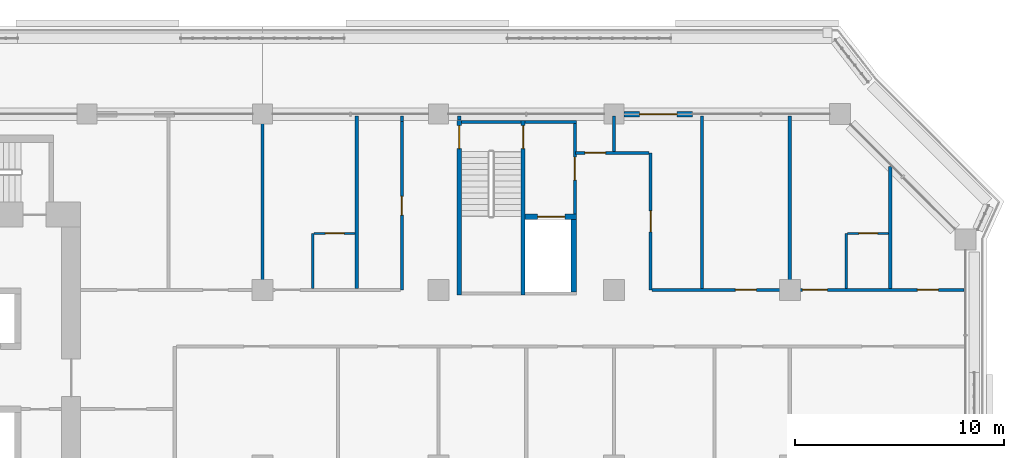
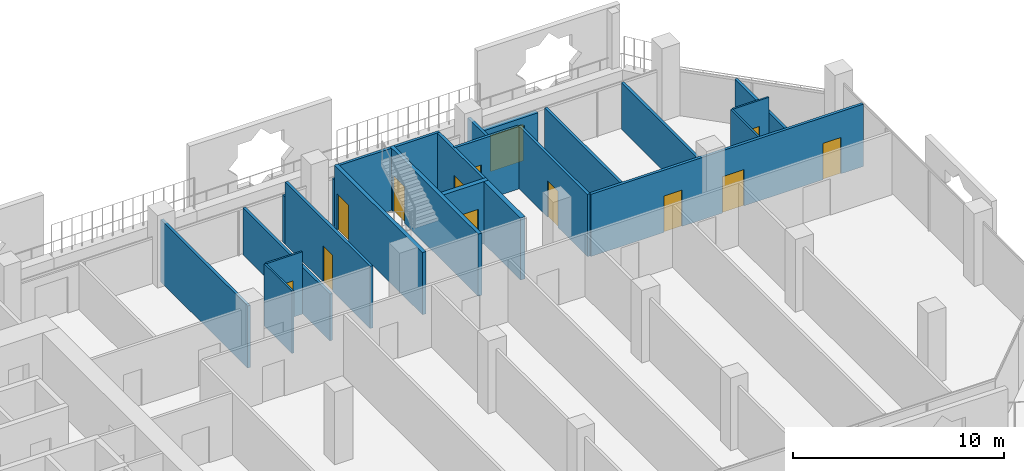
# One storey, part 13 of 22: 24 walls, 13 doors, 13 openings.
"""IFC4 building model written with IfcOpenShell, lengths in metres."""

from ifc_helpers import new_model, si_unit, direction, frame, frame_2d, origin, place, context, subcontext, project, spatial, rectangle, extrude, material, layer, layer_set, type_object, element, fill, save


model = new_model("IFC4")

# Units and contexts
model_context = context("Model", 3, precision=1e-05, world=origin(), true_north=direction((0.0, 1.0)))
body_context = subcontext(model_context, "Body", "Model", "MODEL_VIEW")
ifc_project = project(units=[si_unit("LENGTHUNIT", "METRE"), si_unit("AREAUNIT", "SQUARE_METRE"), si_unit("VOLUMEUNIT", "CUBIC_METRE"), si_unit("PLANEANGLEUNIT", "RADIAN"), si_unit("MASSUNIT", "GRAM", prefix="KILO")], contexts=[model_context])

# Site, building, storey
site_placement = place(None, origin())
site = spatial("IfcSite", under=ifc_project, at=site_placement, CompositionType="ELEMENT")
building_placement = place(site_placement, origin())
building = spatial("IfcBuilding", under=site, at=building_placement, Name="Kawkab Arch Medical Tower", CompositionType="ELEMENT")
storey_placement = place(building_placement, frame((0.0, 0.0, 179.39990234375)))
storey = spatial("IfcBuildingStorey", under=building, at=storey_placement, Name="L41", CompositionType="ELEMENT", Elevation=179.39990234375)

# Wall, opening, door
ifc_material_1 = material(Name="Gypsum board on steel studs", Category="steel")
ifc_layer_1 = layer(ifc_material_1, 0.14990234375)
ifc_layer_set_1 = layer_set([ifc_layer_1], Name="Gypsum board on steel studs")
wall_type_1 = type_object("IfcWallType", Name="Core room partition 150", PredefinedType="PARTITIONING", material=ifc_layer_set_1)
wall_1_placement = place(storey_placement, frame((48.52490234375, -4.77490234375, 0.0), z_axis=(0.0, 0.0, 1.0), x_axis=(0.0, 1.0, 0.0)))
wall_1 = element("IfcWall", 1, at=wall_1_placement, inside=storey, type_object=wall_type_1, Name="L41 core room partition", PredefinedType="PARTITIONING", context=body_context, shape_type="SweptSolid", body=[
    extrude(rectangle(XDim=4.324951171875, YDim=0.14990234375, at=frame_2d((2.16259765625, 0.0))), origin(), (0.0, 0.0, 1.0), 3.60009765625),
])
opening_1_placement = place(wall_1_placement, frame((1.625, 0.0, 0.0)))
opening_1 = element("IfcOpeningElement", 2, at=opening_1_placement, cuts=wall_1, Name="Opening FD", PredefinedType="OPENING", context=body_context, shape_type="SweptSolid", body=[
    extrude(rectangle(XDim=1.10009765625, YDim=2.10009765625, at=frame_2d((0.550048828125, 1.050048828125))), frame((0.0, 0.0849609375, 0.0), z_axis=(0.0, -1.0, 0.0), x_axis=(1.0, 0.0, 0.0)), (0.0, 0.0, 1.0), 0.169921875),
])
ifc_material_2 = material(Name="Hollow metal fire door leaf")
door_type_1 = type_object("IfcDoorType", Name="Firefighting lobby door 1100", OperationType="SINGLE_SWING_LEFT", PredefinedType="DOOR", material=ifc_material_2)
door_1_placement = place(opening_1_placement, origin())
door_1 = element("IfcDoor", 3, at=door_1_placement, inside=storey, type_object=door_type_1, Name="L41 Service lift lobby door SV1", OperationType="SINGLE_SWING_LEFT", OverallHeight=2.10009765625, OverallWidth=1.10009765625, PredefinedType="DOOR", context=body_context, shape_type="SweptSolid", body=[
    extrude(rectangle(XDim=1.10009765625, YDim=2.10009765625, at=frame_2d((0.550048828125, 1.050048828125))), frame((0.0, 0.02490234375, 0.0), z_axis=(0.0, -1.0, 0.0), x_axis=(1.0, 0.0, 0.0)), (0.0, 0.0, 1.0), 0.050048828125),
])
fill(opening_1, door_1)

ifc_material_3 = material(Name="Concrete C60/75", Category="concrete")
ifc_layer_2 = layer(ifc_material_3, 0.25)
ifc_layer_set_2 = layer_set([ifc_layer_2], Name="Concrete C60/75")
wall_type_2 = type_object("IfcWallType", Name="Core shear wall 250 C60/75", PredefinedType="SHEAR", material=ifc_layer_set_2)
wall_2_placement = place(storey_placement, frame((46.14990234375, -4.89990234375, 0.0), z_axis=(0.0, 0.0, 1.0), x_axis=(1.0, 0.0, 0.0)))
wall_2 = element("IfcWall", 4, at=wall_2_placement, inside=storey, type_object=wall_type_2, Name="L41 core shear wall", PredefinedType="SHEAR", context=body_context, shape_type="SweptSolid", body=[
    extrude(rectangle(XDim=2.4501953125, YDim=0.25, at=frame_2d((1.22509765625, 0.0))), origin(), (0.0, 0.0, 1.0), 3.60009765625),
])
opening_2_placement = place(wall_2_placement, frame((0.60009765625, 0.0, 0.0)))
opening_2 = element("IfcOpeningElement", 5, at=opening_2_placement, cuts=wall_2, Name="Opening LD2", PredefinedType="OPENING", context=body_context, shape_type="SweptSolid", body=[
    extrude(rectangle(XDim=1.300048828125, YDim=2.10009765625, at=frame_2d((0.64990234375, 1.050048828125))), frame((0.0, 0.135009765625, 0.0), z_axis=(0.0, -1.0, 0.0), x_axis=(1.0, 0.0, 0.0)), (0.0, 0.0, 1.0), 0.27001953125),
])
ifc_material_4 = material(Name="Stainless steel lift door leaf", Category="steel")
door_type_2 = type_object("IfcDoorType", Name="Lift landing door 1300", OperationType="DOUBLE_DOOR_SLIDING", PredefinedType="DOOR", material=ifc_material_4)
door_2_placement = place(opening_2_placement, origin())
door_2 = element("IfcDoor", 6, at=door_2_placement, inside=storey, type_object=door_type_2, Name="L41 Lift landing door SV1", OperationType="DOUBLE_DOOR_SLIDING", OverallHeight=2.10009765625, OverallWidth=1.300048828125, PredefinedType="DOOR", context=body_context, shape_type="SweptSolid", body=[
    extrude(rectangle(XDim=1.300048828125, YDim=2.10009765625, at=frame_2d((0.64990234375, 1.050048828125))), frame((0.0, 0.02490234375, 0.0), z_axis=(0.0, -1.0, 0.0), x_axis=(1.0, 0.0, 0.0)), (0.0, 0.0, 1.0), 0.050048828125),
])
fill(opening_2, door_2)

# Wall
wall_3_placement = place(storey_placement, frame((48.47509765625, -8.5, 0.0), z_axis=(0.0, 0.0, 1.0), x_axis=(0.0, 1.0, 0.0)))
element("IfcWall", 7, at=wall_3_placement, inside=storey, type_object=wall_type_2, Name="L41 core shear wall", PredefinedType="SHEAR", context=body_context, shape_type="SweptSolid", body=[
    extrude(rectangle(XDim=3.47509765625, YDim=0.25, at=frame_2d((1.737548828125, 0.0))), origin(), (0.0, 0.0, 1.0), 3.60009765625),
])

# Wall, opening, door
ifc_material_5 = material(Name="Bronze clad insulated wall panel")
ifc_layer_3 = layer(ifc_material_5, 0.25)
ifc_layer_set_3 = layer_set([ifc_layer_3], Name="Bronze clad insulated wall panel")
wall_type_3 = type_object("IfcWallType", Name="External wall bay 250", PredefinedType="SOLIDWALL", material=ifc_layer_set_3)
wall_4_placement = place(storey_placement, frame((54.14990234375, 0.0, 0.0), z_axis=(0.0, 0.0, 1.0), x_axis=(-1.0, 0.0, 0.0)))
wall_4 = element("IfcWall", 8, at=wall_4_placement, inside=storey, type_object=wall_type_3, Name="External wall bay L41.R11.1.3", PredefinedType="SOLIDWALL", context=body_context, shape_type="SweptSolid", body=[
    extrude(rectangle(XDim=3.27490234375, YDim=0.25, at=frame_2d((1.637451171875, 0.0))), origin(), (0.0, 0.0, 1.0), 2.580078125),
])
opening_3_placement = place(wall_4_placement, frame((0.737548828125, 0.0, 0.0)))
opening_3 = element("IfcOpeningElement", 9, at=opening_3_placement, cuts=wall_4, Name="Opening W41-701", PredefinedType="OPENING", context=body_context, shape_type="SweptSolid", body=[
    extrude(rectangle(XDim=1.800048828125, YDim=2.10009765625, at=frame_2d((0.89990234375, 1.050048828125))), frame((0.0, 0.135009765625, 0.0), z_axis=(0.0, -1.0, 0.0), x_axis=(1.0, 0.0, 0.0)), (0.0, 0.0, 1.0), 0.27001953125),
])
ifc_material_6 = material(Name="Bronze anodised aluminium door with tinted glass", Category="aluminium")
door_type_3 = type_object("IfcDoorType", Name="Double external door 1800 x 2100", OperationType="DOUBLE_DOOR_SINGLE_SWING", PredefinedType="DOOR", material=ifc_material_6)
door_3_placement = place(opening_3_placement, origin())
door_3 = element("IfcDoor", 10, at=door_3_placement, inside=storey, type_object=door_type_3, Name="External door L41.R11.1.3", OperationType="DOUBLE_DOOR_SINGLE_SWING", OverallHeight=2.10009765625, OverallWidth=1.800048828125, PredefinedType="DOOR", context=body_context, shape_type="SweptSolid", body=[
    extrude(rectangle(XDim=1.800048828125, YDim=2.10009765625, at=frame_2d((0.89990234375, 1.050048828125))), frame((0.0, 0.02490234375, 0.0), z_axis=(0.0, -1.0, 0.0), x_axis=(1.0, 0.0, 0.0)), (0.0, 0.0, 1.0), 0.050048828125),
])
fill(opening_3, door_3)

ifc_material_7 = material(Name="Gypsum board partition on steel studs", Category="steel")
ifc_layer_4 = layer(ifc_material_7, 0.10009765625)
ifc_layer_set_4 = layer_set([ifc_layer_4], Name="Gypsum board partition on steel studs")
wall_type_4 = type_object("IfcWallType", Name="Partition 100", PredefinedType="PARTITIONING", material=ifc_layer_set_4)
wall_5_placement = place(storey_placement, frame((36.050048828125, -5.699951171875, 0.0), z_axis=(0.0, 0.0, 1.0), x_axis=(1.0, 0.0, 0.0)))
wall_5 = element("IfcWall", 11, at=wall_5_placement, inside=storey, type_object=wall_type_4, Name="Partition 100 w002", PredefinedType="PARTITIONING", context=body_context, shape_type="SweptSolid", body=[
    extrude(rectangle(XDim=1.974853515625, YDim=0.10009765625, at=frame_2d((0.9873046875, 0.0))), origin(), (0.0, 0.0, 1.0), 3.60009765625),
])
opening_4_placement = place(wall_5_placement, frame((0.550048828125, 0.0, 0.0)))
opening_4 = element("IfcOpeningElement", 12, at=opening_4_placement, cuts=wall_5, Name="Opening W41-004", PredefinedType="OPENING", context=body_context, shape_type="SweptSolid", body=[
    extrude(rectangle(XDim=0.89990234375, YDim=2.10009765625, at=frame_2d((0.449951171875, 1.050048828125))), frame((0.0, 0.06005859375, 0.0), z_axis=(0.0, -1.0, 0.0), x_axis=(1.0, 0.0, 0.0)), (0.0, 0.0, 1.0), 0.1201171875),
])
ifc_material_8 = material(Name="Timber door leaf", Category="wood")
door_type_4 = type_object("IfcDoorType", Name="Single door 900x2100", OperationType="NOTDEFINED", PredefinedType="DOOR", material=ifc_material_8)
door_4_placement = place(opening_4_placement, origin())
door_4 = element("IfcDoor", 13, at=door_4_placement, inside=storey, type_object=door_type_4, Name="Door W41-004", OperationType="SINGLE_SWING_LEFT", OverallHeight=2.10009765625, OverallWidth=0.89990234375, PredefinedType="DOOR", context=body_context, shape_type="SweptSolid", body=[
    extrude(rectangle(XDim=0.89990234375, YDim=2.10009765625, at=frame_2d((0.449951171875, 1.050048828125))), frame((0.0, 0.02490234375, 0.0), z_axis=(0.0, -1.0, 0.0), x_axis=(1.0, 0.0, 0.0)), (0.0, 0.0, 1.0), 0.050048828125),
])
fill(opening_4, door_4)

wall_6_placement = place(storey_placement, frame((61.550048828125, -5.699951171875, 0.0), z_axis=(0.0, 0.0, 1.0), x_axis=(1.0, 0.0, 0.0)))
wall_6 = element("IfcWall", 14, at=wall_6_placement, inside=storey, type_object=wall_type_4, Name="Partition 100 w003", PredefinedType="PARTITIONING", context=body_context, shape_type="SweptSolid", body=[
    extrude(rectangle(XDim=1.974853515625, YDim=0.10009765625, at=frame_2d((0.9873046875, 0.0))), origin(), (0.0, 0.0, 1.0), 3.60009765625),
])
opening_5_placement = place(wall_6_placement, frame((0.550048828125, 0.0, 0.0)))
opening_5 = element("IfcOpeningElement", 15, at=opening_5_placement, cuts=wall_6, Name="Opening W41-005", PredefinedType="OPENING", context=body_context, shape_type="SweptSolid", body=[
    extrude(rectangle(XDim=0.89990234375, YDim=2.10009765625, at=frame_2d((0.449951171875, 1.050048828125))), frame((0.0, 0.06005859375, 0.0), z_axis=(0.0, -1.0, 0.0), x_axis=(1.0, 0.0, 0.0)), (0.0, 0.0, 1.0), 0.1201171875),
])
door_5_placement = place(opening_5_placement, origin())
door_5 = element("IfcDoor", 16, at=door_5_placement, inside=storey, type_object=door_type_4, Name="Door W41-005", OperationType="SINGLE_SWING_RIGHT", OverallHeight=2.10009765625, OverallWidth=0.89990234375, PredefinedType="DOOR", context=body_context, shape_type="SweptSolid", body=[
    extrude(rectangle(XDim=0.89990234375, YDim=2.10009765625, at=frame_2d((0.449951171875, 1.050048828125))), frame((0.0, 0.02490234375, 0.0), z_axis=(0.0, -1.0, 0.0), x_axis=(1.0, 0.0, 0.0)), (0.0, 0.0, 1.0), 0.050048828125),
])
fill(opening_5, door_5)

# Walls
for number, where, z_axis, x_axis, name in (
    (17, (36.0, -8.324951171875, 0.0), (0.0, 0.0, 1.0), (0.0, 1.0, 0.0), "Partition 100 w005"),
    (18, (61.5, -8.324951171875, 0.0), (0.0, 0.0, 1.0), (0.0, 1.0, 0.0), "Partition 100 w006"),
):
    element("IfcWall", number, at=place(storey_placement, frame(where, z_axis=z_axis, x_axis=x_axis)), inside=storey, type_object=wall_type_4, Name=name, PredefinedType="PARTITIONING", context=body_context, shape_type="SweptSolid", body=[
        extrude(rectangle(XDim=2.625, YDim=0.10009765625, at=frame_2d((1.3125, 0.0))), origin(), (0.0, 0.0, 1.0), 3.60009765625),
    ])

# Wall, openings, doors
ifc_material_9 = material(Name="Gypsum board partition on steel studs, mineral wool", Category="steel")
ifc_layer_5 = layer(ifc_material_9, 0.14990234375)
ifc_layer_set_5 = layer_set([ifc_layer_5], Name="Gypsum board partition on steel studs, mineral wool")
wall_type_5 = type_object("IfcWallType", Name="Partition 150", PredefinedType="PARTITIONING", material=ifc_layer_set_5)
wall_7_placement = place(storey_placement, frame((52.218017578125, -8.39990234375, 0.0), z_axis=(0.0, 0.0, 1.0), x_axis=(1.0, 0.0, 0.0)))
wall_7 = element("IfcWall", 19, at=wall_7_placement, inside=storey, type_object=wall_type_5, Name="Partition 150 w023", PredefinedType="PARTITIONING", context=body_context, shape_type="SweptSolid", body=[
    extrude(rectangle(XDim=14.902099609375, YDim=0.14990234375, at=frame_2d((7.451171875, 0.0))), origin(), (0.0, 0.0, 1.0), 3.60009765625),
])
opening_6_placement = place(wall_7_placement, frame((3.98193359375, 0.0, 0.0)))
opening_6 = element("IfcOpeningElement", 20, at=opening_6_placement, cuts=wall_7, Name="Opening W41-011", PredefinedType="OPENING", context=body_context, shape_type="SweptSolid", body=[
    extrude(rectangle(XDim=1.0, YDim=2.10009765625, at=frame_2d((0.5, 1.050048828125))), frame((0.0, 0.0849609375, 0.0), z_axis=(0.0, -1.0, 0.0), x_axis=(1.0, 0.0, 0.0)), (0.0, 0.0, 1.0), 0.169921875),
])
opening_7_placement = place(wall_7_placement, frame((7.181884765625, 0.0, 0.0)))
opening_7 = element("IfcOpeningElement", 21, at=opening_7_placement, cuts=wall_7, Name="Opening W41-025", PredefinedType="OPENING", context=body_context, shape_type="SweptSolid", body=[
    extrude(rectangle(XDim=1.199951171875, YDim=2.10009765625, at=frame_2d((0.60009765625, 1.050048828125))), frame((0.0, 0.0849609375, 0.0), z_axis=(0.0, -1.0, 0.0), x_axis=(1.0, 0.0, 0.0)), (0.0, 0.0, 1.0), 0.169921875),
])
opening_8_placement = place(wall_7_placement, frame((12.681884765625, 0.0, 0.0)))
opening_8 = element("IfcOpeningElement", 22, at=opening_8_placement, cuts=wall_7, Name="Opening W41-012", PredefinedType="OPENING", context=body_context, shape_type="SweptSolid", body=[
    extrude(rectangle(XDim=1.0, YDim=2.10009765625, at=frame_2d((0.5, 1.050048828125))), frame((0.0, 0.0849609375, 0.0), z_axis=(0.0, -1.0, 0.0), x_axis=(1.0, 0.0, 0.0)), (0.0, 0.0, 1.0), 0.169921875),
])
ifc_material_10 = material(Name="Hollow metal door leaf")
door_type_5 = type_object("IfcDoorType", Name="Single door 1000x2100 FD30S", OperationType="NOTDEFINED", PredefinedType="DOOR", material=ifc_material_10)
door_6_placement = place(opening_6_placement, origin())
door_6 = element("IfcDoor", 23, at=door_6_placement, inside=storey, type_object=door_type_5, Name="Door W41-011", OperationType="SINGLE_SWING_LEFT", OverallHeight=2.10009765625, OverallWidth=1.0, PredefinedType="DOOR", context=body_context, shape_type="SweptSolid", body=[
    extrude(rectangle(XDim=1.0, YDim=2.10009765625, at=frame_2d((0.5, 1.050048828125))), frame((0.0, 0.02490234375, 0.0), z_axis=(0.0, -1.0, 0.0), x_axis=(1.0, 0.0, 0.0)), (0.0, 0.0, 1.0), 0.050048828125),
])
fill(opening_6, door_6)
door_7_placement = place(opening_8_placement, origin())
door_7 = element("IfcDoor", 24, at=door_7_placement, inside=storey, type_object=door_type_5, Name="Door W41-012", OperationType="SINGLE_SWING_RIGHT", OverallHeight=2.10009765625, OverallWidth=1.0, PredefinedType="DOOR", context=body_context, shape_type="SweptSolid", body=[
    extrude(rectangle(XDim=1.0, YDim=2.10009765625, at=frame_2d((0.5, 1.050048828125))), frame((0.0, 0.02490234375, 0.0), z_axis=(0.0, -1.0, 0.0), x_axis=(1.0, 0.0, 0.0)), (0.0, 0.0, 1.0), 0.050048828125),
])
fill(opening_8, door_7)
ifc_material_11 = material(Name="Hollow metal door leaf")
door_type_6 = type_object("IfcDoorType", Name="Single door 1200x2100 FD30S", OperationType="NOTDEFINED", PredefinedType="DOOR", material=ifc_material_11)
door_8_placement = place(opening_7_placement, origin())
door_8 = element("IfcDoor", 25, at=door_8_placement, inside=storey, type_object=door_type_6, Name="Door W41-025", OperationType="SINGLE_SWING_RIGHT", OverallHeight=2.10009765625, OverallWidth=1.199951171875, PredefinedType="DOOR", context=body_context, shape_type="SweptSolid", body=[
    extrude(rectangle(XDim=1.199951171875, YDim=2.10009765625, at=frame_2d((0.60009765625, 1.050048828125))), frame((0.0, 0.02490234375, 0.0), z_axis=(0.0, -1.0, 0.0), x_axis=(1.0, 0.0, 0.0)), (0.0, 0.0, 1.0), 0.050048828125),
])
fill(opening_7, door_8)

# Wall, opening, door
wall_8_placement = place(storey_placement, frame((48.550048828125, -1.85009765625, 0.0), z_axis=(0.0, 0.0, 1.0), x_axis=(1.0, 0.0, 0.0)))
wall_8 = element("IfcWall", 26, at=wall_8_placement, inside=storey, type_object=wall_type_5, Name="Partition 150 w024", PredefinedType="PARTITIONING", context=body_context, shape_type="SweptSolid", body=[
    extrude(rectangle(XDim=3.515869140625, YDim=0.14990234375, at=frame_2d((1.7578125, 0.0))), origin(), (0.0, 0.0, 1.0), 3.60009765625),
])
opening_9_placement = place(wall_8_placement, frame((0.449951171875, 0.0, 0.0)))
opening_9 = element("IfcOpeningElement", 27, at=opening_9_placement, cuts=wall_8, Name="Opening W41-009", PredefinedType="OPENING", context=body_context, shape_type="SweptSolid", body=[
    extrude(rectangle(XDim=1.0, YDim=2.10009765625, at=frame_2d((0.5, 1.050048828125))), frame((0.0, 0.0849609375, 0.0), z_axis=(0.0, -1.0, 0.0), x_axis=(1.0, 0.0, 0.0)), (0.0, 0.0, 1.0), 0.169921875),
])
door_9_placement = place(opening_9_placement, origin())
door_9 = element("IfcDoor", 28, at=door_9_placement, inside=storey, type_object=door_type_5, Name="Door W41-009", OperationType="SINGLE_SWING_LEFT", OverallHeight=2.10009765625, OverallWidth=1.0, PredefinedType="DOOR", context=body_context, shape_type="SweptSolid", body=[
    extrude(rectangle(XDim=1.0, YDim=2.10009765625, at=frame_2d((0.5, 1.050048828125))), frame((0.0, 0.02490234375, 0.0), z_axis=(0.0, -1.0, 0.0), x_axis=(1.0, 0.0, 0.0)), (0.0, 0.0, 1.0), 0.050048828125),
])
fill(opening_9, door_9)

# Walls
wall_9_placement = place(storey_placement, frame((33.60009765625, -8.324951171875, 0.0), z_axis=(0.0, 0.0, 1.0), x_axis=(0.0, 1.0, 0.0)))
element("IfcWall", 29, at=wall_9_placement, inside=storey, type_object=wall_type_5, Name="Partition 150 w033", PredefinedType="PARTITIONING", context=body_context, shape_type="SweptSolid", body=[
    extrude(rectangle(XDim=8.244873046875, YDim=0.14990234375, at=frame_2d((4.12255859375, 0.0))), origin(), (0.0, 0.0, 1.0), 3.60009765625),
])
wall_10_placement = place(storey_placement, frame((38.10009765625, -8.324951171875, 0.0), z_axis=(0.0, 0.0, 1.0), x_axis=(0.0, 1.0, 0.0)))
element("IfcWall", 30, at=wall_10_placement, inside=storey, type_object=wall_type_5, Name="Partition 150 w035", PredefinedType="PARTITIONING", context=body_context, shape_type="SweptSolid", body=[
    extrude(rectangle(XDim=8.244873046875, YDim=0.14990234375, at=frame_2d((4.12255859375, 0.0))), origin(), (0.0, 0.0, 1.0), 2.7001953125),
])

# Wall, opening, door
wall_11_placement = place(storey_placement, frame((40.257080078125, -8.39990234375, 0.0), z_axis=(0.0, 0.0, 1.0), x_axis=(0.0, 1.0, 0.0)))
wall_11 = element("IfcWall", 31, at=wall_11_placement, inside=storey, type_object=wall_type_5, Name="Partition 150 w036", PredefinedType="PARTITIONING", context=body_context, shape_type="SweptSolid", body=[
    extrude(rectangle(XDim=8.0478515625, YDim=0.14990234375, at=frame_2d((4.02392578125, 0.0))), origin(), (0.0, 0.0, 1.0), 3.60009765625),
])
opening_10_placement = place(wall_11_placement, frame((3.573974609375, 0.0, 0.0)))
opening_10 = element("IfcOpeningElement", 32, at=opening_10_placement, cuts=wall_11, Name="Opening W41-007", PredefinedType="OPENING", context=body_context, shape_type="SweptSolid", body=[
    extrude(rectangle(XDim=0.89990234375, YDim=2.10009765625, at=frame_2d((0.449951171875, 1.050048828125))), frame((0.0, 0.0849609375, 0.0), z_axis=(0.0, -1.0, 0.0), x_axis=(1.0, 0.0, 0.0)), (0.0, 0.0, 1.0), 0.169921875),
])
door_10_placement = place(opening_10_placement, origin())
door_10 = element("IfcDoor", 33, at=door_10_placement, inside=storey, type_object=door_type_4, Name="Door W41-007", OperationType="SINGLE_SWING_RIGHT", OverallHeight=2.10009765625, OverallWidth=0.89990234375, PredefinedType="DOOR", context=body_context, shape_type="SweptSolid", body=[
    extrude(rectangle(XDim=0.89990234375, YDim=2.10009765625, at=frame_2d((0.449951171875, 1.050048828125))), frame((0.0, 0.02490234375, 0.0), z_axis=(0.0, -1.0, 0.0), x_axis=(1.0, 0.0, 0.0)), (0.0, 0.0, 1.0), 0.050048828125),
])
fill(opening_10, door_10)

# Walls
wall_12_placement = place(storey_placement, frame((40.257080078125, -0.35009765625, 0.0), z_axis=(0.0, 0.0, 1.0), x_axis=(0.0, 1.0, 0.0)))
element("IfcWall", 34, at=wall_12_placement, inside=storey, type_object=wall_type_5, Name="Partition 150 w037", PredefinedType="PARTITIONING", context=body_context, shape_type="SweptSolid", body=[
    extrude(rectangle(XDim=0.27001953125, YDim=0.14990234375, at=frame_2d((0.135009765625, 0.0))), origin(), (0.0, 0.0, 1.0), 2.7001953125),
])
wall_13_placement = place(storey_placement, frame((43.0, -0.27001953125, 0.0), z_axis=(0.0, 0.0, 1.0), x_axis=(0.0, 1.0, 0.0)))
element("IfcWall", 35, at=wall_13_placement, inside=storey, type_object=wall_type_5, Name="Partition 150 w039", PredefinedType="PARTITIONING", context=body_context, shape_type="SweptSolid", body=[
    extrude(rectangle(XDim=0.18994140625, YDim=0.14990234375, at=frame_2d((0.094970703125, 0.0))), origin(), (0.0, 0.0, 1.0), 2.7001953125),
])
wall_14_placement = place(storey_placement, frame((50.39990234375, -1.77490234375, 0.0), z_axis=(0.0, 0.0, 1.0), x_axis=(0.0, 1.0, 0.0)))
element("IfcWall", 36, at=wall_14_placement, inside=storey, type_object=wall_type_5, Name="Partition 150 w042", PredefinedType="PARTITIONING", context=body_context, shape_type="SweptSolid", body=[
    extrude(rectangle(XDim=1.69482421875, YDim=0.14990234375, at=frame_2d((0.847412109375, 0.0))), origin(), (0.0, 0.0, 1.0), 3.60009765625),
])

# Wall, opening, door
wall_15_placement = place(storey_placement, frame((52.14306640625, -8.39990234375, 0.0), z_axis=(0.0, 0.0, 1.0), x_axis=(0.0, 1.0, 0.0)))
wall_15 = element("IfcWall", 37, at=wall_15_placement, inside=storey, type_object=wall_type_5, Name="Partition 150 w043", PredefinedType="PARTITIONING", context=body_context, shape_type="SweptSolid", body=[
    extrude(rectangle(XDim=6.548828125, YDim=0.14990234375, at=frame_2d((3.2744140625, 0.0))), origin(), (0.0, 0.0, 1.0), 3.60009765625),
])
opening_11_placement = place(wall_15_placement, frame((2.77392578125, 0.0, 0.0)))
opening_11 = element("IfcOpeningElement", 38, at=opening_11_placement, cuts=wall_15, Name="Opening W41-010", PredefinedType="OPENING", context=body_context, shape_type="SweptSolid", body=[
    extrude(rectangle(XDim=1.0, YDim=2.10009765625, at=frame_2d((0.5, 1.050048828125))), frame((0.0, 0.0849609375, 0.0), z_axis=(0.0, -1.0, 0.0), x_axis=(1.0, 0.0, 0.0)), (0.0, 0.0, 1.0), 0.169921875),
])
door_11_placement = place(opening_11_placement, origin())
door_11 = element("IfcDoor", 39, at=door_11_placement, inside=storey, type_object=door_type_5, Name="Door W41-010", OperationType="SINGLE_SWING_RIGHT", OverallHeight=2.10009765625, OverallWidth=1.0, PredefinedType="DOOR", context=body_context, shape_type="SweptSolid", body=[
    extrude(rectangle(XDim=1.0, YDim=2.10009765625, at=frame_2d((0.5, 1.050048828125))), frame((0.0, 0.02490234375, 0.0), z_axis=(0.0, -1.0, 0.0), x_axis=(1.0, 0.0, 0.0)), (0.0, 0.0, 1.0), 0.050048828125),
])
fill(opening_11, door_11)

# Walls
for number, where, z_axis, x_axis, name in (
    (40, (54.60009765625, -8.324951171875, 0.0), (0.0, 0.0, 1.0), (0.0, 1.0, 0.0), "Partition 150 w044"),
    (41, (58.800048828125, -8.324951171875, 0.0), (0.0, 0.0, 1.0), (0.0, 1.0, 0.0), "Partition 150 w047"),
):
    element("IfcWall", number, at=place(storey_placement, frame(where, z_axis=z_axis, x_axis=x_axis)), inside=storey, type_object=wall_type_5, Name=name, PredefinedType="PARTITIONING", context=body_context, shape_type="SweptSolid", body=[
        extrude(rectangle(XDim=8.244873046875, YDim=0.14990234375, at=frame_2d((4.12255859375, 0.0))), origin(), (0.0, 0.0, 1.0), 2.7001953125),
    ])
wall_16_placement = place(storey_placement, frame((63.60009765625, -8.324951171875, 0.0), z_axis=(0.0, 0.0, 1.0), x_axis=(0.0, 1.0, 0.0)))
element("IfcWall", 42, at=wall_16_placement, inside=storey, type_object=wall_type_5, Name="Partition 150 w048", PredefinedType="PARTITIONING", context=body_context, shape_type="SweptSolid", body=[
    extrude(rectangle(XDim=5.81201171875, YDim=0.14990234375, at=frame_2d((2.906005859375, 0.0))), origin(), (0.0, 0.0, 1.0), 2.7001953125),
])
ifc_material_12 = material(Name="Concrete C50/60", Category="concrete")
ifc_layer_6 = layer(ifc_material_12, 0.14990234375)
ifc_layer_set_6 = layer_set([ifc_layer_6], Name="Concrete C50/60")
wall_type_6 = type_object("IfcWallType", Name="Stair enclosure wall 150 C50/60", PredefinedType="SHEAR", material=ifc_layer_set_6)
wall_17_placement = place(storey_placement, frame((43.10009765625, -0.375, 0.0), z_axis=(0.0, 0.0, 1.0), x_axis=(1.0, 0.0, 0.0)))
element("IfcWall", 43, at=wall_17_placement, inside=storey, type_object=wall_type_6, Name="L41 stair enclosure wall", PredefinedType="SHEAR", context=body_context, shape_type="SweptSolid", body=[
    extrude(rectangle(XDim=2.849853515625, YDim=0.14990234375, at=frame_2d((1.4248046875, 0.0))), origin(), (0.0, 0.0, 1.0), 3.60009765625),
])
wall_18_placement = place(storey_placement, frame((46.14990234375, -0.375, 0.0), z_axis=(0.0, 0.0, 1.0), x_axis=(1.0, 0.0, 0.0)))
element("IfcWall", 44, at=wall_18_placement, inside=storey, type_object=wall_type_6, Name="L41 stair enclosure wall", PredefinedType="SHEAR", context=body_context, shape_type="SweptSolid", body=[
    extrude(rectangle(XDim=2.4501953125, YDim=0.14990234375, at=frame_2d((1.22509765625, 0.0))), origin(), (0.0, 0.0, 1.0), 3.60009765625),
])

# Wall, opening, door
ifc_material_13 = material(Name="Concrete C50/60", Category="concrete")
ifc_layer_7 = layer(ifc_material_13, 0.199951171875)
ifc_layer_set_7 = layer_set([ifc_layer_7], Name="Concrete C50/60")
wall_type_7 = type_object("IfcWallType", Name="Stair enclosure wall 200 C50/60", PredefinedType="SHEAR", material=ifc_layer_set_7)
wall_19_placement = place(storey_placement, frame((43.0, -8.64990234375, 0.0), z_axis=(0.0, 0.0, 1.0), x_axis=(0.0, 1.0, 0.0)))
wall_19 = element("IfcWall", 45, at=wall_19_placement, inside=storey, type_object=wall_type_7, Name="L41 stair enclosure wall", PredefinedType="SHEAR", context=body_context, shape_type="SweptSolid", body=[
    extrude(rectangle(XDim=8.349853515625, YDim=0.199951171875, at=frame_2d((4.1748046875, 0.0))), origin(), (0.0, 0.0, 1.0), 3.60009765625),
])
opening_12_placement = place(wall_19_placement, frame((7.0, 0.0, 0.0)))
opening_12 = element("IfcOpeningElement", 46, at=opening_12_placement, cuts=wall_19, Name="Opening SD", PredefinedType="OPENING", context=body_context, shape_type="SweptSolid", body=[
    extrude(rectangle(XDim=1.10009765625, YDim=2.10009765625, at=frame_2d((0.550048828125, 1.050048828125))), frame((0.0, 0.10986328125, 0.0), z_axis=(0.0, -1.0, 0.0), x_axis=(1.0, 0.0, 0.0)), (0.0, 0.0, 1.0), 0.219970703125),
])
ifc_material_14 = material(Name="Hollow metal fire door leaf")
door_type_7 = type_object("IfcDoorType", Name="Exit stair door 1100", OperationType="SINGLE_SWING_LEFT", PredefinedType="DOOR", material=ifc_material_14)
door_12_placement = place(opening_12_placement, frame((1.10009765625, 0.0, 0.0), z_axis=(0.0, 0.0, 1.0), x_axis=(-1.0, 0.0, 0.0)))
door_12 = element("IfcDoor", 47, at=door_12_placement, inside=storey, type_object=door_type_7, Name="L41 Exit stair ST5 door", OperationType="SINGLE_SWING_LEFT", OverallHeight=2.10009765625, OverallWidth=1.10009765625, PredefinedType="DOOR", context=body_context, shape_type="SweptSolid", body=[
    extrude(rectangle(XDim=1.10009765625, YDim=2.10009765625, at=frame_2d((0.550048828125, 1.050048828125))), frame((0.0, 0.02490234375, 0.0), z_axis=(0.0, -1.0, 0.0), x_axis=(1.0, 0.0, 0.0)), (0.0, 0.0, 1.0), 0.050048828125),
])
fill(opening_12, door_12)

wall_20_placement = place(storey_placement, frame((46.050048828125, -8.64990234375, 0.0), z_axis=(0.0, 0.0, 1.0), x_axis=(0.0, 1.0, 0.0)))
wall_20 = element("IfcWall", 48, at=wall_20_placement, inside=storey, type_object=wall_type_7, Name="L41 stair enclosure wall", PredefinedType="SHEAR", context=body_context, shape_type="SweptSolid", body=[
    extrude(rectangle(XDim=8.349853515625, YDim=0.199951171875, at=frame_2d((4.1748046875, 0.0))), origin(), (0.0, 0.0, 1.0), 3.60009765625),
])
opening_13_placement = place(wall_20_placement, frame((7.0, 0.0, 0.0)))
opening_13 = element("IfcOpeningElement", 49, at=opening_13_placement, cuts=wall_20, Name="Opening SD", PredefinedType="OPENING", context=body_context, shape_type="SweptSolid", body=[
    extrude(rectangle(XDim=1.10009765625, YDim=2.10009765625, at=frame_2d((0.550048828125, 1.050048828125))), frame((0.0, 0.10986328125, 0.0), z_axis=(0.0, -1.0, 0.0), x_axis=(1.0, 0.0, 0.0)), (0.0, 0.0, 1.0), 0.219970703125),
])
door_13_placement = place(opening_13_placement, origin())
door_13 = element("IfcDoor", 50, at=door_13_placement, inside=storey, type_object=door_type_7, Name="L41 Exit stair ST5 lobby door", OperationType="SINGLE_SWING_LEFT", OverallHeight=2.10009765625, OverallWidth=1.10009765625, PredefinedType="DOOR", context=body_context, shape_type="SweptSolid", body=[
    extrude(rectangle(XDim=1.10009765625, YDim=2.10009765625, at=frame_2d((0.550048828125, 1.050048828125))), frame((0.0, 0.02490234375, 0.0), z_axis=(0.0, -1.0, 0.0), x_axis=(1.0, 0.0, 0.0)), (0.0, 0.0, 1.0), 0.050048828125),
])
fill(opening_13, door_13)

save(model, "model.ifc")
